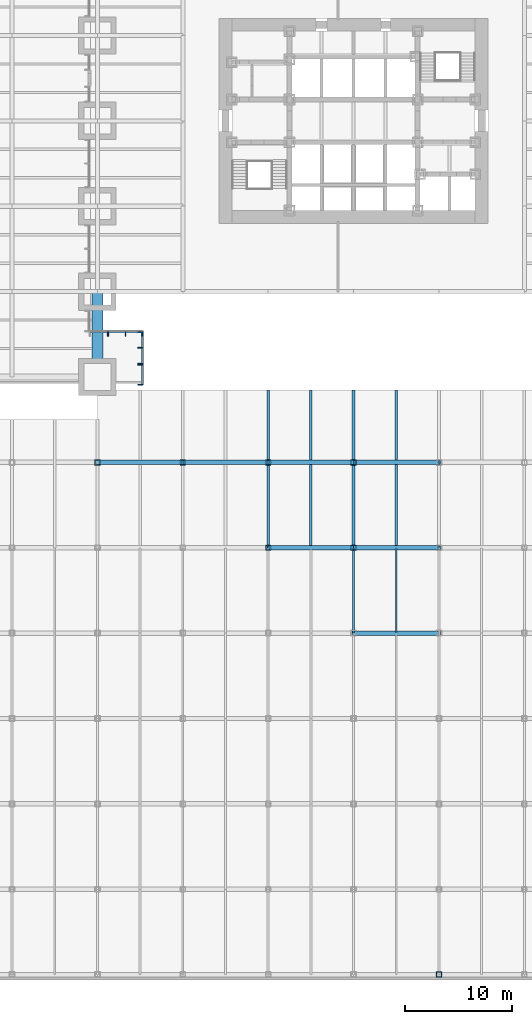
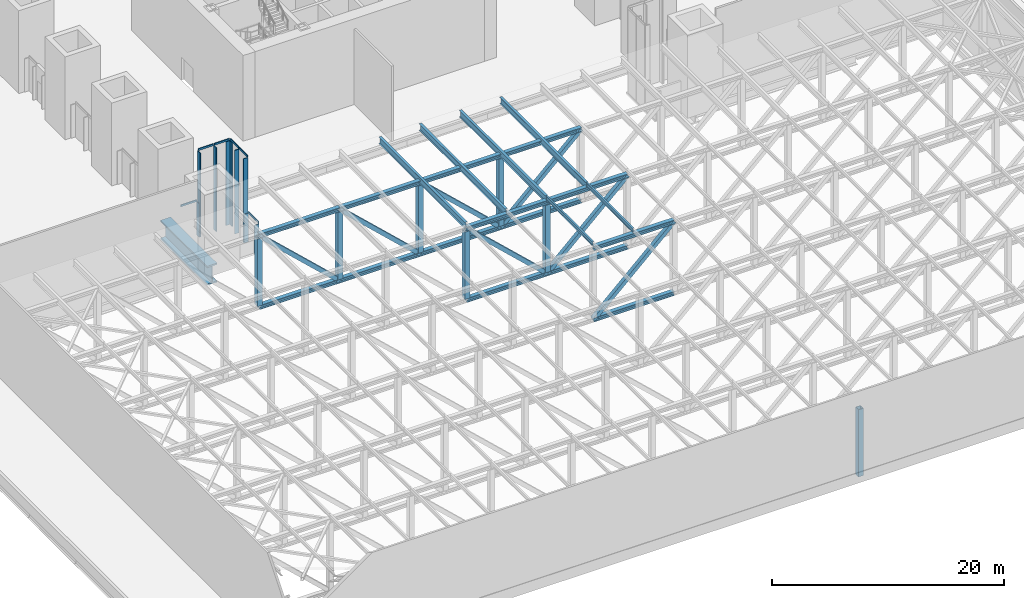
# One storey, part 4 of 20: 49 members, 1 beam, 4 elements without a shape of their own.
"""IFC4 building model written with IfcOpenShell, lengths in metres."""

from ifc_helpers import new_model, si_unit, direction, frame, origin, origin_2d, place, context, subcontext, project, spatial, rectangle, hollow_rectangle, i_section, extrude, material, material_profile, profile_set, type_object, element, aggregate, save


model = new_model("IFC4")

# Units and contexts
model_context = context("Model", 3, precision=1e-05, world=origin(), true_north=direction((0.0, 1.0)))
body_context = subcontext(model_context, "Body", "Model", "MODEL_VIEW")
ifc_project = project(units=[si_unit("LENGTHUNIT", "METRE"), si_unit("AREAUNIT", "SQUARE_METRE"), si_unit("VOLUMEUNIT", "CUBIC_METRE"), si_unit("PLANEANGLEUNIT", "RADIAN"), si_unit("MASSUNIT", "GRAM", prefix="KILO")], contexts=[model_context])

# Site, building, storey
site_placement = place(None, origin())
site = spatial("IfcSite", under=ifc_project, at=site_placement, CompositionType="ELEMENT")
building_placement = place(site_placement, origin())
building = spatial("IfcBuilding", under=site, at=building_placement, Name="Daluyong Arena Tower", CompositionType="ELEMENT")
storey_placement = place(building_placement, frame((0.0, 0.0, 25.89990234375)))
storey = spatial("IfcBuildingStorey", under=building, at=storey_placement, Name="L05", CompositionType="ELEMENT", Elevation=25.89990234375)

# Curtain wall, member
ifc_material_1 = material(Name="Bronze anodised aluminium and glass", Category="aluminium")
curtain_wall_type = type_object("IfcCurtainWallType", Name="Curtain wall CW6", PredefinedType="USERDEFINED", material=ifc_material_1)
curtain_wall_1_placement = place(storey_placement, origin())
curtain_wall_1 = element("IfcCurtainWall", 1, at=curtain_wall_1_placement, inside=storey, type_object=curtain_wall_type, Name="curtain wall L05 SW-S bay 1", ObjectType="UNITISED CURTAIN WALL", PredefinedType="USERDEFINED")
ifc_material_2 = material(Name="Bronze anodised aluminium fin", Category="aluminium")
ifc_material_profile_1 = material_profile(ifc_material_2, rectangle(XDim=0.449951171875, YDim=0.080078125, at=origin_2d()))
ifc_profile_set_1 = profile_set([ifc_material_profile_1], Name="Bronze anodised aluminium fin")
member_type_1 = type_object("IfcMemberType", Name="CW6 bronze fin 450x80", PredefinedType="MULLION", material=ifc_profile_set_1)
member_1_placement = place(storey_placement, frame((32.9599609375, 60.02490234375, 0.0), z_axis=(0.0, 0.0, 1.0), x_axis=(0.0, 1.0, 0.0)))
member_1 = element("IfcMember", 2, at=member_1_placement, type_object=member_type_1, Name="curtain wall L05 SW-S bay 1 fin 2", PredefinedType="MULLION", context=body_context, shape_type="SweptSolid", body=[
    extrude(rectangle(XDim=0.449951171875, YDim=0.080078125, at=origin_2d()), origin(), (0.0, 0.0, 1.0), 3.5),
])

# Curtain wall, members
curtain_wall_2_placement = place(storey_placement, origin())
curtain_wall_2 = element("IfcCurtainWall", 3, at=curtain_wall_2_placement, inside=storey, type_object=curtain_wall_type, Name="curtain wall L05 SW-S bay 2", ObjectType="UNITISED CURTAIN WALL", PredefinedType="USERDEFINED")
member_2_placement = place(storey_placement, frame((33.0400390625, 60.02490234375, 0.0), z_axis=(0.0, 0.0, 1.0), x_axis=(0.0, 1.0, 0.0)))
member_2 = element("IfcMember", 4, at=member_2_placement, type_object=member_type_1, Name="curtain wall L05 SW-S bay 2 fin 1", PredefinedType="MULLION", context=body_context, shape_type="SweptSolid", body=[
    extrude(rectangle(XDim=0.449951171875, YDim=0.080078125, at=origin_2d()), origin(), (0.0, 0.0, 1.0), 8.800048828125),
])
member_3_placement = place(storey_placement, frame((34.625, 60.02490234375, 0.0), z_axis=(0.0, 0.0, 1.0), x_axis=(0.0, 1.0, 0.0)))
member_3 = element("IfcMember", 5, at=member_3_placement, type_object=member_type_1, Name="curtain wall L05 SW-S bay 2 fin 2", PredefinedType="MULLION", context=body_context, shape_type="SweptSolid", body=[
    extrude(rectangle(XDim=0.449951171875, YDim=0.080078125, at=origin_2d()), origin(), (0.0, 0.0, 1.0), 8.800048828125),
])
member_4_placement = place(storey_placement, frame((36.2099609375, 60.02490234375, 0.0), z_axis=(0.0, 0.0, 1.0), x_axis=(0.0, 1.0, 0.0)))
member_4 = element("IfcMember", 6, at=member_4_placement, type_object=member_type_1, Name="curtain wall L05 SW-S bay 2 fin 3", PredefinedType="MULLION", context=body_context, shape_type="SweptSolid", body=[
    extrude(rectangle(XDim=0.449951171875, YDim=0.080078125, at=origin_2d()), origin(), (0.0, 0.0, 1.0), 8.800048828125),
])

curtain_wall_3_placement = place(storey_placement, origin())
curtain_wall_3 = element("IfcCurtainWall", 7, at=curtain_wall_3_placement, inside=storey, type_object=curtain_wall_type, Name="curtain wall L05 SW-W bay 1", ObjectType="UNITISED CURTAIN WALL", PredefinedType="USERDEFINED")
member_5_placement = place(storey_placement, frame((36.02490234375, 60.2099609375, 0.0), z_axis=(0.0, 0.0, 1.0), x_axis=(1.0, 0.0, 0.0)))
member_5 = element("IfcMember", 8, at=member_5_placement, type_object=member_type_1, Name="curtain wall L05 SW-W bay 1 fin 1", PredefinedType="MULLION", context=body_context, shape_type="SweptSolid", body=[
    extrude(rectangle(XDim=0.449951171875, YDim=0.080078125, at=origin_2d()), origin(), (0.0, 0.0, 1.0), 8.800048828125),
])
member_6_placement = place(storey_placement, frame((36.02490234375, 58.72509765625, 0.0), z_axis=(0.0, 0.0, 1.0), x_axis=(1.0, 0.0, 0.0)))
member_6 = element("IfcMember", 9, at=member_6_placement, type_object=member_type_1, Name="curtain wall L05 SW-W bay 1 fin 2", PredefinedType="MULLION", context=body_context, shape_type="SweptSolid", body=[
    extrude(rectangle(XDim=0.449951171875, YDim=0.080078125, at=origin_2d()), origin(), (0.0, 0.0, 1.0), 8.800048828125),
])
member_7_placement = place(storey_placement, frame((36.02490234375, 57.239990234375, 0.0), z_axis=(0.0, 0.0, 1.0), x_axis=(1.0, 0.0, 0.0)))
member_7 = element("IfcMember", 10, at=member_7_placement, type_object=member_type_1, Name="curtain wall L05 SW-W bay 1 fin 3", PredefinedType="MULLION", context=body_context, shape_type="SweptSolid", body=[
    extrude(rectangle(XDim=0.449951171875, YDim=0.080078125, at=origin_2d()), origin(), (0.0, 0.0, 1.0), 8.800048828125),
])

curtain_wall_4_placement = place(storey_placement, origin())
curtain_wall_4 = element("IfcCurtainWall", 11, at=curtain_wall_4_placement, inside=storey, type_object=curtain_wall_type, Name="curtain wall L05 SW-W bay 2", ObjectType="UNITISED CURTAIN WALL", PredefinedType="USERDEFINED")
member_8_placement = place(storey_placement, frame((36.02490234375, 57.159912109375, 0.0), z_axis=(0.0, 0.0, 1.0), x_axis=(1.0, 0.0, 0.0)))
member_8 = element("IfcMember", 12, at=member_8_placement, type_object=member_type_1, Name="curtain wall L05 SW-W bay 2 fin 1", PredefinedType="MULLION", context=body_context, shape_type="SweptSolid", body=[
    extrude(rectangle(XDim=0.449951171875, YDim=0.080078125, at=origin_2d()), origin(), (0.0, 0.0, 1.0), 3.0),
])
member_9_placement = place(storey_placement, frame((36.02490234375, 55.2900390625, 0.0), z_axis=(0.0, 0.0, 1.0), x_axis=(1.0, 0.0, 0.0)))
member_9 = element("IfcMember", 13, at=member_9_placement, type_object=member_type_1, Name="curtain wall L05 SW-W bay 2 fin 2", PredefinedType="MULLION", context=body_context, shape_type="SweptSolid", body=[
    extrude(rectangle(XDim=0.449951171875, YDim=0.080078125, at=origin_2d()), origin(), (0.0, 0.0, 1.0), 3.0),
])

# Member
ifc_material_3 = material(Name="Bronze anodised aluminium", Category="aluminium")
ifc_material_profile_2 = material_profile(ifc_material_3, rectangle(XDim=0.080078125, YDim=0.199951171875, at=origin_2d()))
ifc_profile_set_2 = profile_set([ifc_material_profile_2], Name="Bronze anodised aluminium")
member_type_2 = type_object("IfcMemberType", Name="CW6 stack transom 200x80", PredefinedType="USERDEFINED", material=ifc_profile_set_2)
member_10_placement = place(storey_placement, frame((31.330078125, 60.25, 3.60009765625), z_axis=(1.0, 0.0, 0.0), x_axis=(0.0, 1.0, 0.0)))
member_10 = element("IfcMember", 14, at=member_10_placement, type_object=member_type_2, Name="curtain wall L05 SW-S bay 1 transom 1", ObjectType="TRANSOM", PredefinedType="USERDEFINED", context=body_context, shape_type="SweptSolid", body=[
    extrude(rectangle(XDim=0.080078125, YDim=0.199951171875, at=origin_2d()), origin(), (0.0, 0.0, 1.0), 1.58984375),
])

aggregate(curtain_wall_1, [member_1, member_10])

member_11_placement = place(storey_placement, frame((33.080078125, 60.25, 8.900146484375), z_axis=(1.0, 0.0, 0.0), x_axis=(0.0, 1.0, 0.0)))
member_11 = element("IfcMember", 15, at=member_11_placement, type_object=member_type_2, Name="curtain wall L05 SW-S bay 2 transom 1", ObjectType="TRANSOM", PredefinedType="USERDEFINED", context=body_context, shape_type="SweptSolid", body=[
    extrude(rectangle(XDim=0.080078125, YDim=0.199951171875, at=origin_2d()), origin(), (0.0, 0.0, 1.0), 1.5048828125),
])

member_12_placement = place(storey_placement, frame((34.6650390625, 60.25, 8.900146484375), z_axis=(1.0, 0.0, 0.0), x_axis=(0.0, 1.0, 0.0)))
member_12 = element("IfcMember", 16, at=member_12_placement, type_object=member_type_2, Name="curtain wall L05 SW-S bay 2 transom 2", ObjectType="TRANSOM", PredefinedType="USERDEFINED", context=body_context, shape_type="SweptSolid", body=[
    extrude(rectangle(XDim=0.080078125, YDim=0.199951171875, at=origin_2d()), origin(), (0.0, 0.0, 1.0), 1.5048828125),
])

aggregate(curtain_wall_2, [member_2, member_3, member_4, member_11, member_12])

member_13_placement = place(storey_placement, frame((36.25, 60.169921875, 8.900146484375), z_axis=(0.0, -1.0, 0.0), x_axis=(1.0, 0.0, 0.0)))
member_13 = element("IfcMember", 17, at=member_13_placement, type_object=member_type_2, Name="curtain wall L05 SW-W bay 1 transom 1", ObjectType="TRANSOM", PredefinedType="USERDEFINED", context=body_context, shape_type="SweptSolid", body=[
    extrude(rectangle(XDim=0.080078125, YDim=0.199951171875, at=origin_2d()), origin(), (0.0, 0.0, 1.0), 1.405029296875),
])

member_14_placement = place(storey_placement, frame((36.25, 58.68505859375, 8.900146484375), z_axis=(0.0, -1.0, 0.0), x_axis=(1.0, 0.0, 0.0)))
member_14 = element("IfcMember", 18, at=member_14_placement, type_object=member_type_2, Name="curtain wall L05 SW-W bay 1 transom 2", ObjectType="TRANSOM", PredefinedType="USERDEFINED", context=body_context, shape_type="SweptSolid", body=[
    extrude(rectangle(XDim=0.080078125, YDim=0.199951171875, at=origin_2d()), origin(), (0.0, 0.0, 1.0), 1.405029296875),
])

aggregate(curtain_wall_3, [member_5, member_6, member_7, member_13, member_14])

member_15_placement = place(storey_placement, frame((36.25, 57.1201171875, 3.10009765625), z_axis=(0.0, -1.0, 0.0), x_axis=(1.0, 0.0, 0.0)))
member_15 = element("IfcMember", 19, at=member_15_placement, type_object=member_type_2, Name="curtain wall L05 SW-W bay 2 transom 1", ObjectType="TRANSOM", PredefinedType="USERDEFINED", context=body_context, shape_type="SweptSolid", body=[
    extrude(rectangle(XDim=0.080078125, YDim=0.199951171875, at=origin_2d()), origin(), (0.0, 0.0, 1.0), 1.7900390625),
])

aggregate(curtain_wall_4, [member_8, member_9, member_15])

# Beam
ifc_material_4 = material(Name="Steel ASTM A588 Grade 50", Category="steel")
ifc_material_profile_3 = material_profile(ifc_material_4, i_section(OverallWidth=1.0, OverallDepth=2.0, WebThickness=0.06, FlangeThickness=0.15, at=origin_2d()))
ifc_profile_set_3 = profile_set([ifc_material_profile_3], Name="Steel ASTM A588 Grade 50")
beam_type = type_object("IfcBeamType", Name="Podium girder PG2000X1000", PredefinedType="BEAM", material=ifc_profile_set_3)
beam_placement = place(storey_placement, frame((32.0, 56.0, -1.25), z_axis=(0.0, 1.0, 0.0), x_axis=(-1.0, 0.0, 0.0)))
element("IfcBeam", 20, at=beam_placement, inside=storey, type_object=beam_type, Name="podium girder PG3", PredefinedType="BEAM", context=body_context, shape_type="SweptSolid", body=[
    extrude(i_section(OverallWidth=1.0, OverallDepth=2.0, WebThickness=0.06, FlangeThickness=0.15, at=origin_2d()), origin(), (0.0, 0.0, 1.0), 8.0),
])

# Members
ifc_material_5 = material(Name="Steel ASTM A992 Grade 50", Category="steel")
ifc_material_profile_4 = material_profile(ifc_material_5, i_section(OverallWidth=0.177734375, OverallDepth=0.406494140625, WebThickness=0.0078125, FlangeThickness=0.012939453125, at=origin_2d()))
ifc_profile_set_4 = profile_set([ifc_material_profile_4], Name="Steel ASTM A992 Grade 50")
member_type_3 = type_object("IfcMemberType", Name="Roof purlin W16X40", PredefinedType="PURLIN", material=ifc_profile_set_4)
for number, where, z_axis, x_axis, name in (
    (21, (56.0, 32.0, 8.1376953125), (0.0, 1.0, 0.0), (-1.0, 0.0, 0.0), "roof purlin RP1"),
    (22, (60.0, 32.0, 8.1376953125), (0.0, 1.0, 0.0), (-1.0, 0.0, 0.0), "roof purlin RP1"),
):
    element("IfcMember", number, at=place(storey_placement, frame(where, z_axis=z_axis, x_axis=x_axis)), inside=storey, type_object=member_type_3, Name=name, PredefinedType="PURLIN", context=body_context, shape_type="SweptSolid", body=[
        extrude(i_section(OverallWidth=0.177734375, OverallDepth=0.406494140625, WebThickness=0.0078125, FlangeThickness=0.012939453125, at=origin_2d()), origin(), (0.0, 0.0, 1.0), 8.0),
    ])
ifc_material_6 = material(Name="Steel ASTM A992 Grade 50", Category="steel")
ifc_material_profile_5 = material_profile(ifc_material_6, i_section(OverallWidth=0.25390625, OverallDepth=0.683349609375, WebThickness=0.012451171875, FlangeThickness=0.01904296875, at=origin_2d()))
ifc_profile_set_5 = profile_set([ifc_material_profile_5], Name="Steel ASTM A992 Grade 50")
member_type_4 = type_object("IfcMemberType", Name="Roof purlin W27X94", PredefinedType="PURLIN", material=ifc_profile_set_5)
for number, where, z_axis, x_axis, name in (
    (23, (48.0, 40.0, 7.999267578125), (0.0, 1.0, 0.0), (-1.0, 0.0, 0.0), "roof purlin RP2"),
    (24, (52.0, 40.0, 7.999267578125), (0.0, 1.0, 0.0), (-1.0, 0.0, 0.0), "roof purlin RP2"),
    (25, (56.0, 40.0, 7.999267578125), (0.0, 1.0, 0.0), (-1.0, 0.0, 0.0), "roof purlin RP2"),
    (26, (60.0, 40.0, 7.999267578125), (0.0, 1.0, 0.0), (-1.0, 0.0, 0.0), "roof purlin RP2"),
):
    element("IfcMember", number, at=place(storey_placement, frame(where, z_axis=z_axis, x_axis=x_axis)), inside=storey, type_object=member_type_4, Name=name, PredefinedType="PURLIN", context=body_context, shape_type="SweptSolid", body=[
        extrude(i_section(OverallWidth=0.25390625, OverallDepth=0.683349609375, WebThickness=0.012451171875, FlangeThickness=0.01904296875, at=origin_2d()), origin(), (0.0, 0.0, 1.0), 14.800048828125),
    ])
ifc_material_7 = material(Name="Steel ASTM A992 Grade 50", Category="steel")
ifc_material_profile_6 = material_profile(ifc_material_7, i_section(OverallWidth=0.411376953125, OverallDepth=0.434326171875, WebThickness=0.035888671875, FlangeThickness=0.057373046875, at=origin_2d()))
ifc_profile_set_6 = profile_set([ifc_material_profile_6], Name="Steel ASTM A992 Grade 50")
member_type_5 = type_object("IfcMemberType", Name="Roof truss chord W14X311", PredefinedType="CHORD", material=ifc_profile_set_6)
for number, where, z_axis, x_axis, name in (
    (27, (56.0, 32.0, 0.21728515625), (1.0, 0.0, 0.0), (0.0, 1.0, 0.0), "roof truss chord RT1"),
    (28, (56.0, 32.0, 7.71728515625), (1.0, 0.0, 0.0), (0.0, 1.0, 0.0), "roof truss chord RT1"),
    (29, (48.0, 40.0, 0.21728515625), (1.0, 0.0, 0.0), (0.0, 1.0, 0.0), "roof truss chord RT1"),
    (30, (56.0, 40.0, 0.21728515625), (1.0, 0.0, 0.0), (0.0, 1.0, 0.0), "roof truss chord RT1"),
    (31, (48.0, 40.0, 7.71728515625), (1.0, 0.0, 0.0), (0.0, 1.0, 0.0), "roof truss chord RT1"),
    (32, (56.0, 40.0, 7.71728515625), (1.0, 0.0, 0.0), (0.0, 1.0, 0.0), "roof truss chord RT1"),
    (33, (32.0, 48.0, 0.21728515625), (1.0, 0.0, 0.0), (0.0, 1.0, 0.0), "roof truss chord RT1"),
    (34, (40.0, 48.0, 0.21728515625), (1.0, 0.0, 0.0), (0.0, 1.0, 0.0), "roof truss chord RT1"),
    (35, (48.0, 48.0, 0.21728515625), (1.0, 0.0, 0.0), (0.0, 1.0, 0.0), "roof truss chord RT1"),
    (36, (56.0, 48.0, 0.21728515625), (1.0, 0.0, 0.0), (0.0, 1.0, 0.0), "roof truss chord RT1"),
    (37, (32.0, 48.0, 7.71728515625), (1.0, 0.0, 0.0), (0.0, 1.0, 0.0), "roof truss chord RT1"),
    (38, (40.0, 48.0, 7.71728515625), (1.0, 0.0, 0.0), (0.0, 1.0, 0.0), "roof truss chord RT1"),
    (39, (48.0, 48.0, 7.71728515625), (1.0, 0.0, 0.0), (0.0, 1.0, 0.0), "roof truss chord RT1"),
    (40, (56.0, 48.0, 7.71728515625), (1.0, 0.0, 0.0), (0.0, 1.0, 0.0), "roof truss chord RT1"),
):
    element("IfcMember", number, at=place(storey_placement, frame(where, z_axis=z_axis, x_axis=x_axis)), inside=storey, type_object=member_type_5, Name=name, PredefinedType="CHORD", context=body_context, shape_type="SweptSolid", body=[
        extrude(i_section(OverallWidth=0.411376953125, OverallDepth=0.434326171875, WebThickness=0.035888671875, FlangeThickness=0.057373046875, at=origin_2d()), origin(), (0.0, 0.0, 1.0), 8.0),
    ])
ifc_material_8 = material(Name="Steel ASTM A1085", Category="steel")
ifc_material_profile_7 = material_profile(ifc_material_8, hollow_rectangle(XDim=0.406494140625, YDim=0.406494140625, WallThickness=0.015869140625, at=origin_2d()))
ifc_profile_set_7 = profile_set([ifc_material_profile_7], Name="Steel ASTM A1085")
member_type_6 = type_object("IfcMemberType", Name="Roof truss diagonal HSS16X16X5/8", PredefinedType="BRACE", material=ifc_profile_set_7)
for number, where, z_axis, x_axis, name in (
    (41, (56.0, 32.0, 0.21728515625), (0.72953720414, 0.0, 0.683941128881), (0.0, 1.0, 0.0), "roof truss diagonal RD1"),
    (42, (48.0, 40.0, 7.71728515625), (0.72953720414, 0.0, -0.683941128881), (0.0, 1.0, 0.0), "roof truss diagonal RD1"),
    (43, (56.0, 40.0, 0.21728515625), (0.72953720414, 0.0, 0.683941128881), (0.0, 1.0, 0.0), "roof truss diagonal RD1"),
    (44, (32.0, 48.0, 7.71728515625), (0.72953720414, 0.0, -0.683941128881), (0.0, 1.0, 0.0), "roof truss diagonal RD1"),
    (45, (40.0, 48.0, 7.71728515625), (0.72953720414, 0.0, -0.683941128881), (0.0, 1.0, 0.0), "roof truss diagonal RD1"),
    (46, (48.0, 48.0, 7.71728515625), (0.72953720414, 0.0, -0.683941128881), (0.0, 1.0, 0.0), "roof truss diagonal RD1"),
    (47, (56.0, 48.0, 0.21728515625), (0.72953720414, 0.0, 0.683941128881), (0.0, 1.0, 0.0), "roof truss diagonal RD1"),
):
    element("IfcMember", number, at=place(storey_placement, frame(where, z_axis=z_axis, x_axis=x_axis)), inside=storey, type_object=member_type_6, Name=name, PredefinedType="BRACE", context=body_context, shape_type="SweptSolid", body=[
        extrude(hollow_rectangle(XDim=0.406494140625, YDim=0.406494140625, WallThickness=0.015869140625, at=origin_2d()), origin(), (0.0, 0.0, 1.0), 10.9658203125),
    ])
ifc_material_9 = material(Name="Steel ASTM A572 Grade 50", Category="steel")
ifc_material_profile_8 = material_profile(ifc_material_9, hollow_rectangle(XDim=0.5, YDim=0.5, WallThickness=0.04, at=origin_2d()))
ifc_profile_set_8 = profile_set([ifc_material_profile_8], Name="Steel ASTM A572 Grade 50")
member_type_7 = type_object("IfcMemberType", Name="Roof truss post BX500X40", PredefinedType="POST", material=ifc_profile_set_8)
for number, where, z_axis, x_axis, name in (
    (48, (64.0, 0.0, 0.434326171875), (0.0, 0.0, 1.0), (1.0, 0.0, 0.0), "roof truss post RV1"),
    (49, (48.0, 40.0, 0.434326171875), (0.0, 0.0, 1.0), (1.0, 0.0, 0.0), "roof truss post RV1"),
    (50, (56.0, 40.0, 0.434326171875), (0.0, 0.0, 1.0), (1.0, 0.0, 0.0), "roof truss post RV1"),
    (51, (32.0, 48.0, 0.434326171875), (0.0, 0.0, 1.0), (1.0, 0.0, 0.0), "roof truss post RV1"),
    (52, (40.0, 48.0, 0.434326171875), (0.0, 0.0, 1.0), (1.0, 0.0, 0.0), "roof truss post RV1"),
    (53, (48.0, 48.0, 0.434326171875), (0.0, 0.0, 1.0), (1.0, 0.0, 0.0), "roof truss post RV1"),
    (54, (56.0, 48.0, 0.434326171875), (0.0, 0.0, 1.0), (1.0, 0.0, 0.0), "roof truss post RV1"),
):
    element("IfcMember", number, at=place(storey_placement, frame(where, z_axis=z_axis, x_axis=x_axis)), inside=storey, type_object=member_type_7, Name=name, PredefinedType="POST", context=body_context, shape_type="SweptSolid", body=[
        extrude(hollow_rectangle(XDim=0.5, YDim=0.5, WallThickness=0.04, at=origin_2d()), origin(), (0.0, 0.0, 1.0), 7.065673828125),
    ])

save(model, "model.ifc")
